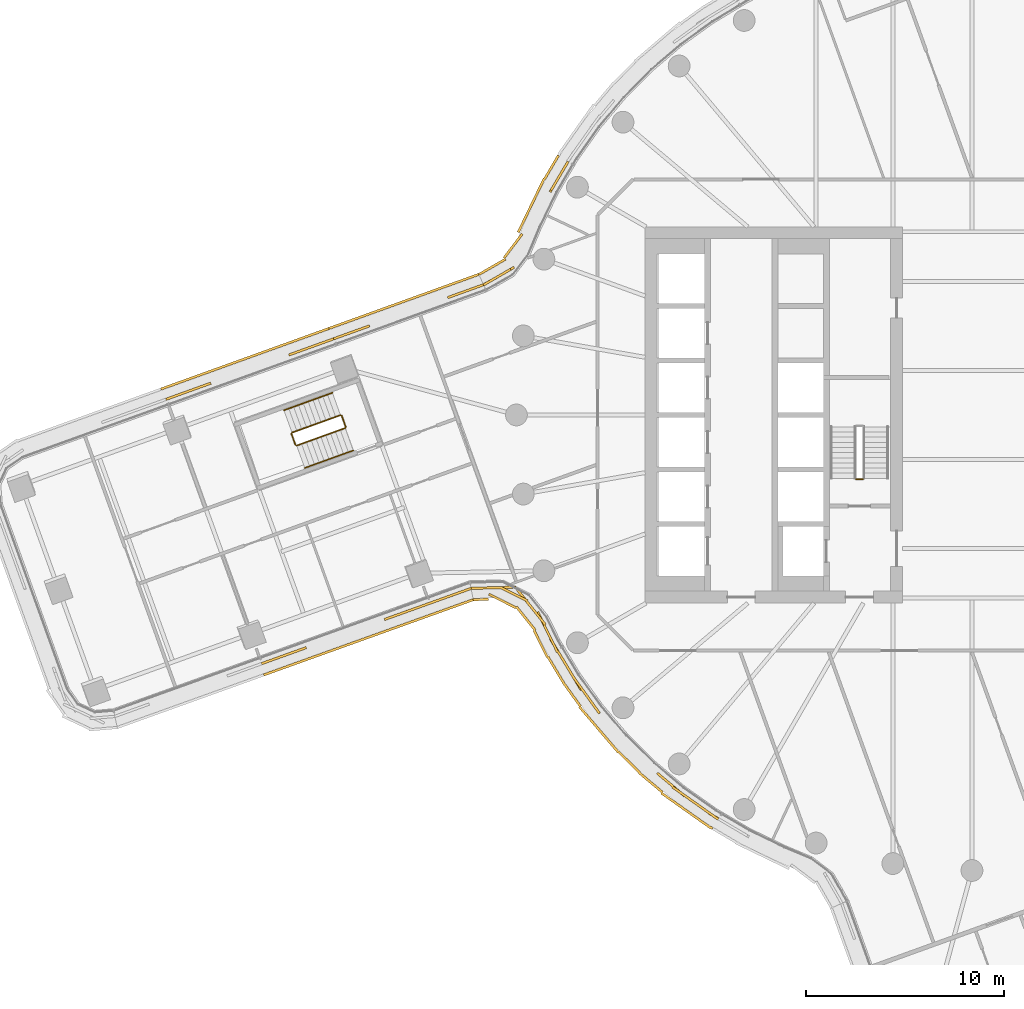
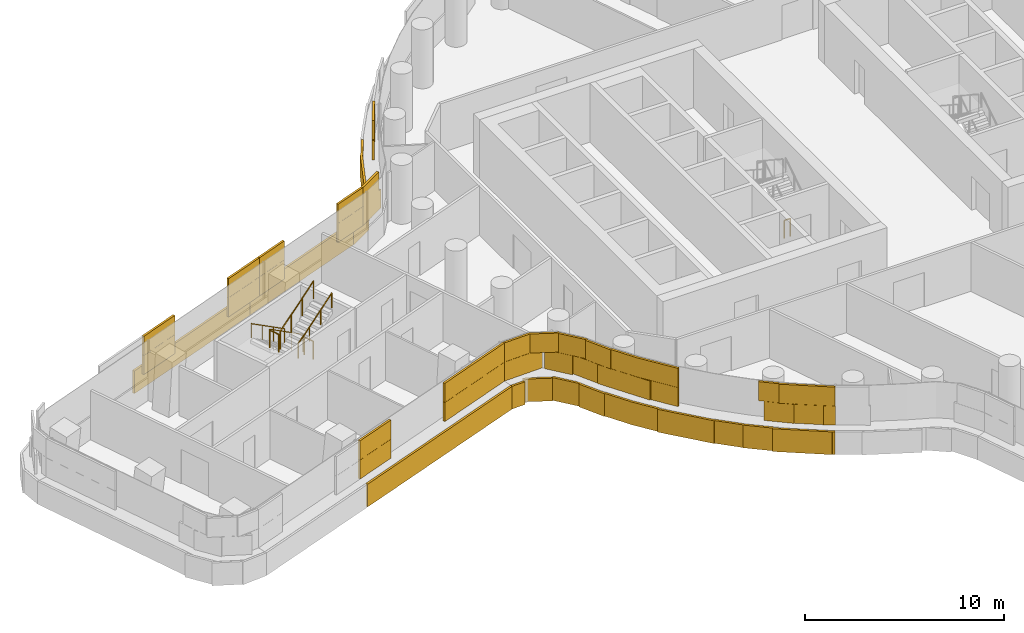
# One storey, part 26 of 30: 7 railings, 5 coverings.
"""IFC4 building model written with IfcOpenShell, lengths in metres."""

from ifc_helpers import new_model, si_unit, direction, frame, origin, origin_2d, place, context, subcontext, project, spatial, rectangle, circle, extrude, material, layer, layer_set, type_object, element, save


model = new_model("IFC4")

# Units and contexts
model_context = context("Model", 3, precision=1e-05, world=origin(), true_north=direction((0.0, 1.0)))
body_context = subcontext(model_context, "Body", "Model", "MODEL_VIEW")
ifc_project = project(units=[si_unit("LENGTHUNIT", "METRE"), si_unit("AREAUNIT", "SQUARE_METRE"), si_unit("VOLUMEUNIT", "CUBIC_METRE"), si_unit("PLANEANGLEUNIT", "RADIAN"), si_unit("MASSUNIT", "GRAM", prefix="KILO")], contexts=[model_context])

# Site, building, storey
site_placement = place(None, origin())
site = spatial("IfcSite", under=ifc_project, at=site_placement, CompositionType="ELEMENT")
building_placement = place(site_placement, origin())
building = spatial("IfcBuilding", under=site, at=building_placement, Name="Tamarind Cross Interchange Tower", CompositionType="ELEMENT")
storey_placement = place(building_placement, frame((0.0, 0.0, 106.0)))
storey = spatial("IfcBuildingStorey", under=building, at=storey_placement, Name="L25", CompositionType="ELEMENT", Elevation=106.0)

# Railings
ifc_material_1 = material(Name="Stair guard")
railing_type_1 = type_object("IfcRailingType", Name="Stair guard", PredefinedType="GUARDRAIL", material=ifc_material_1)
railing_1_placement = place(storey_placement, frame((-5.5, -3.25, 0.0)))
element("IfcRailing", 1, at=railing_1_placement, inside=storey, type_object=railing_type_1, Name="L25 ST1 stair guard 4", PredefinedType="GUARDRAIL", context=body_context, shape_type="SweptSolid", body=[
    extrude(circle(Radius=0.02392578125, at=origin_2d()), frame((0.0, 0.0, 1.076171875), z_axis=(-1.0, 0.0, 0.0), x_axis=(0.0, -1.0, 0.0)), (0.0, 0.0, 1.0), 0.35009765625),
    extrude(circle(Radius=0.02099609375, at=origin_2d()), origin(), (0.0, 0.0, 1.0), 1.052001953125),
    extrude(circle(Radius=0.02099609375, at=origin_2d()), frame((-0.35009765625, 0.0, 0.0)), (0.0, 0.0, 1.0), 1.052001953125),
])
railing_2_placement = place(storey_placement, frame((-31.885009765625, -0.007080078125, 0.17041015625)))
element("IfcRailing", 2, at=railing_2_placement, inside=storey, type_object=railing_type_1, Name="L25 ST5 stair guard 1", PredefinedType="GUARDRAIL", context=body_context, shape_type="SweptSolid", body=[
    extrude(circle(Radius=0.02392578125, at=origin_2d()), frame((0.0, 0.0, 1.076171875), z_axis=(-0.786594077285, -0.284028229763, 0.548267929281), x_axis=(0.339623697503, -0.940561398365, 0.0)), (0.0, 0.0, 1.0), 3.109130859375),
    extrude(circle(Radius=0.02099609375, at=origin_2d()), origin(), (0.0, 0.0, 1.0), 1.052001953125),
    extrude(circle(Radius=0.02099609375, at=origin_2d()), frame((-0.815185546875, -0.29443359375, 0.568115234375)), (0.0, 0.0, 1.0), 1.052001953125),
    extrude(circle(Radius=0.02099609375, at=origin_2d()), frame((-1.63037109375, -0.588623046875, 1.136474609375)), (0.0, 0.0, 1.0), 1.052001953125),
    extrude(circle(Radius=0.02099609375, at=origin_2d()), frame((-2.445556640625, -0.883056640625, 1.70458984375)), (0.0, 0.0, 1.0), 1.052001953125),
])
railing_3_placement = place(storey_placement, frame((-34.360595703125, -0.9541015625, 1.875)))
element("IfcRailing", 3, at=railing_3_placement, inside=storey, type_object=railing_type_1, Name="L25 ST5 stair guard 2", PredefinedType="GUARDRAIL", context=body_context, shape_type="SweptSolid", body=[
    extrude(circle(Radius=0.02392578125, at=origin_2d()), frame((0.0, 0.0, 1.076171875), z_axis=(0.339814466161, -0.940492492574, 0.0), x_axis=(0.940492492574, 0.339814466161, 0.0)), (0.0, 0.0, 1.0), 0.599853515625),
    extrude(circle(Radius=0.02099609375, at=origin_2d()), origin(), (0.0, 0.0, 1.0), 1.052001953125),
    extrude(circle(Radius=0.02099609375, at=origin_2d()), frame((0.203857421875, -0.564208984375, 0.0)), (0.0, 0.0, 1.0), 1.052001953125),
])
railing_4_placement = place(storey_placement, frame((-34.0927734375, -1.54833984375, 2.04541015625)))
element("IfcRailing", 4, at=railing_4_placement, inside=storey, type_object=railing_type_1, Name="L25 ST5 stair guard 3", PredefinedType="GUARDRAIL", context=body_context, shape_type="SweptSolid", body=[
    extrude(circle(Radius=0.02392578125, at=origin_2d()), frame((0.0, 0.0, 1.076171875), z_axis=(0.786611619308, 0.28395603628, 0.548280156335), x_axis=(-0.339540627438, 0.940591389669, 0.0)), (0.0, 0.0, 1.0), 3.10888671875),
    extrude(circle(Radius=0.02099609375, at=origin_2d()), origin(), (0.0, 0.0, 1.0), 1.052001953125),
    extrude(circle(Radius=0.02099609375, at=origin_2d()), frame((0.815185546875, 0.294189453125, 0.568115234375)), (0.0, 0.0, 1.0), 1.052001953125),
    extrude(circle(Radius=0.02099609375, at=origin_2d()), frame((1.63037109375, 0.588623046875, 1.136474609375)), (0.0, 0.0, 1.0), 1.052001953125),
    extrude(circle(Radius=0.02099609375, at=origin_2d()), frame((2.445556640625, 0.8828125, 1.70458984375)), (0.0, 0.0, 1.0), 1.052001953125),
])
railing_5_placement = place(storey_placement, frame((-31.821044921875, -0.037109375, 0.0)))
element("IfcRailing", 5, at=railing_5_placement, inside=storey, type_object=railing_type_1, Name="L25 ST5 stair guard 4", PredefinedType="GUARDRAIL", context=body_context, shape_type="SweptSolid", body=[
    extrude(circle(Radius=0.02392578125, at=origin_2d()), frame((0.0, 0.0, 1.076171875), z_axis=(0.339684450032, -0.94053945925, 0.0), x_axis=(0.94053945925, 0.339684450032, 0.0)), (0.0, 0.0, 1.0), 0.60009765625),
    extrude(circle(Radius=0.02099609375, at=origin_2d()), origin(), (0.0, 0.0, 1.0), 1.052001953125),
    extrude(circle(Radius=0.02099609375, at=origin_2d()), frame((0.203857421875, -0.564453125, 0.0)), (0.0, 0.0, 1.0), 1.052001953125),
])
ifc_material_2 = material(Name="Stair handrail")
railing_type_2 = type_object("IfcRailingType", Name="Stair handrail", PredefinedType="HANDRAIL", material=ifc_material_2)
railing_6_placement = place(storey_placement, frame((-32.29248046875, 1.12158203125, 0.17041015625)))
element("IfcRailing", 6, at=railing_6_placement, inside=storey, type_object=railing_type_2, Name="L25 ST5 stair handrail 1", PredefinedType="HANDRAIL", context=body_context, shape_type="SweptSolid", body=[
    extrude(circle(Radius=0.02392578125, at=origin_2d()), frame((0.0, 0.0, 0.8759765625), z_axis=(-0.786594077285, -0.284028229763, 0.548267929281), x_axis=(0.339623697503, -0.940561398365, 0.0)), (0.0, 0.0, 1.0), 3.109130859375),
    extrude(circle(Radius=0.02099609375, at=origin_2d()), origin(), (0.0, 0.0, 1.0), 0.851806640625),
    extrude(circle(Radius=0.02099609375, at=origin_2d()), frame((-0.815185546875, -0.29443359375, 0.568115234375)), (0.0, 0.0, 1.0), 0.851806640625),
    extrude(circle(Radius=0.02099609375, at=origin_2d()), frame((-1.63037109375, -0.588623046875, 1.136474609375)), (0.0, 0.0, 1.0), 0.851806640625),
    extrude(circle(Radius=0.02099609375, at=origin_2d()), frame((-2.445556640625, -0.883056640625, 1.70458984375)), (0.0, 0.0, 1.0), 0.851806640625),
])
railing_7_placement = place(storey_placement, frame((-33.685302734375, -2.67724609375, 2.04541015625)))
element("IfcRailing", 7, at=railing_7_placement, inside=storey, type_object=railing_type_2, Name="L25 ST5 stair handrail 2", PredefinedType="HANDRAIL", context=body_context, shape_type="SweptSolid", body=[
    extrude(circle(Radius=0.02392578125, at=origin_2d()), frame((0.0, 0.0, 0.8759765625), z_axis=(0.786594077285, 0.284028229763, 0.548267929281), x_axis=(-0.339623697503, 0.940561398365, 0.0)), (0.0, 0.0, 1.0), 3.109130859375),
    extrude(circle(Radius=0.02099609375, at=origin_2d()), origin(), (0.0, 0.0, 1.0), 0.851806640625),
    extrude(circle(Radius=0.02099609375, at=origin_2d()), frame((0.815185546875, 0.29443359375, 0.568115234375)), (0.0, 0.0, 1.0), 0.851806640625),
    extrude(circle(Radius=0.02099609375, at=origin_2d()), frame((1.63037109375, 0.588623046875, 1.136474609375)), (0.0, 0.0, 1.0), 0.851806640625),
    extrude(circle(Radius=0.02099609375, at=origin_2d()), frame((2.445556640625, 0.883056640625, 1.70458984375)), (0.0, 0.0, 1.0), 0.851806640625),
])

# Coverings
ifc_material_3 = material(Name="Terracotta", Category="masonry")
ifc_layer = layer(ifc_material_3, 0.1201171875)
ifc_layer_set = layer_set([ifc_layer], Name="Terracotta")
covering_type = type_object("IfcCoveringType", Name="Terracotta baguette screen unit", PredefinedType="MOLDING", material=ifc_layer_set)
covering_1_placement = place(storey_placement, origin())
element("IfcCovering", 8, at=covering_1_placement, inside=storey, type_object=covering_type, Name="SCR-L25-01-01", PredefinedType="MOLDING", context=body_context, shape_type="SweptSolid", body=[
    extrude(rectangle(XDim=0.3935546875, YDim=0.1201171875, at=origin_2d()), frame((-35.69189453125, -12.494384765625, 1.404052734375), z_axis=(0.0, 0.0, 1.0), x_axis=(0.941099800074, 0.338128919647, 0.0)), (0.0, 0.0, 1.0), 1.1669921875),
    extrude(rectangle(XDim=1.52001953125, YDim=0.1201171875, at=origin_2d()), frame((-34.8056640625, -12.17578125, 1.404052734375), z_axis=(0.0, 0.0, 1.0), x_axis=(0.941099800074, 0.338128919647, 0.0)), (0.0, 0.0, 1.0), 1.1669921875),
    extrude(rectangle(XDim=0.52587890625, YDim=0.1201171875, at=origin_2d()), frame((-33.857177734375, -11.835205078125, 1.404052734375), z_axis=(0.0, 0.0, 1.0), x_axis=(0.941099800074, 0.338128919647, 0.0)), (0.0, 0.0, 1.0), 1.1669921875),
    extrude(rectangle(XDim=1.294189453125, YDim=0.1201171875, at=origin_2d()), frame((-29.0576171875, -10.110595703125, 1.404052734375), z_axis=(0.0, 0.0, 1.0), x_axis=(0.941099800074, 0.338128919647, 0.0)), (0.0, 0.0, 1.0), 1.1669921875),
    extrude(rectangle(XDim=1.52001953125, YDim=0.1201171875, at=origin_2d()), frame((-27.747314453125, -9.639892578125, 1.404052734375), z_axis=(0.0, 0.0, 1.0), x_axis=(0.941099800074, 0.338128919647, 0.0)), (0.0, 0.0, 1.0), 1.1669921875),
    extrude(rectangle(XDim=1.52001953125, YDim=0.1201171875, at=origin_2d()), frame((-26.335693359375, -9.1328125, 1.404052734375), z_axis=(0.0, 0.0, 1.0), x_axis=(0.941099800074, 0.338128919647, 0.0)), (0.0, 0.0, 1.0), 1.1669921875),
    extrude(rectangle(XDim=0.37255859375, YDim=0.1201171875, at=origin_2d()), frame((-25.459228515625, -8.81787109375, 1.404052734375), z_axis=(0.0, 0.0, 1.0), x_axis=(0.941099800074, 0.338128919647, 0.0)), (0.0, 0.0, 1.0), 1.1669921875),
    extrude(rectangle(XDim=1.1435546875, YDim=0.1201171875, at=origin_2d()), frame((-35.339111328125, -12.367431640625, 2.5791015625), z_axis=(0.0, 0.0, 1.0), x_axis=(0.941099800074, 0.338128919647, 0.0)), (0.0, 0.0, 1.0), 1.1669921875),
    extrude(rectangle(XDim=1.27587890625, YDim=0.1201171875, at=origin_2d()), frame((-34.2099609375, -11.9619140625, 2.5791015625), z_axis=(0.0, 0.0, 1.0), x_axis=(0.941099800074, 0.338128919647, 0.0)), (0.0, 0.0, 1.0), 1.1669921875),
    extrude(rectangle(XDim=0.544189453125, YDim=0.1201171875, at=origin_2d()), frame((-29.410400390625, -10.237548828125, 2.5791015625), z_axis=(0.0, 0.0, 1.0), x_axis=(0.941099800074, 0.338128919647, 0.0)), (0.0, 0.0, 1.0), 1.1669921875),
    extrude(rectangle(XDim=1.52001953125, YDim=0.1201171875, at=origin_2d()), frame((-28.453369140625, -9.8935546875, 2.5791015625), z_axis=(0.0, 0.0, 1.0), x_axis=(0.941099800074, 0.338128919647, 0.0)), (0.0, 0.0, 1.0), 1.1669921875),
    extrude(rectangle(XDim=1.52001953125, YDim=0.1201171875, at=origin_2d()), frame((-27.04150390625, -9.38623046875, 2.5791015625), z_axis=(0.0, 0.0, 1.0), x_axis=(0.941099800074, 0.338128919647, 0.0)), (0.0, 0.0, 1.0), 1.1669921875),
    extrude(rectangle(XDim=1.12255859375, YDim=0.1201171875, at=origin_2d()), frame((-25.812255859375, -8.944580078125, 2.5791015625), z_axis=(0.0, 0.0, 1.0), x_axis=(0.941099800074, 0.338128919647, 0.0)), (0.0, 0.0, 1.0), 1.1669921875),
    extrude(rectangle(XDim=0.400390625, YDim=0.1201171875, at=origin_2d()), frame((-35.567138671875, -13.059326171875, 0.00390625), z_axis=(0.0, 0.0, 1.0), x_axis=(0.941099800074, 0.338128919647, 0.0)), (0.0, 0.0, 1.0), 1.39208984375),
    extrude(rectangle(XDim=1.52001953125, YDim=0.1201171875, at=origin_2d()), frame((-34.682373046875, -12.741455078125, 0.00390625), z_axis=(0.0, 0.0, 1.0), x_axis=(0.941099800074, 0.338128919647, 0.0)), (0.0, 0.0, 1.0), 1.39208984375),
    extrude(rectangle(XDim=1.52001953125, YDim=0.1201171875, at=origin_2d()), frame((-33.270751953125, -12.234375, 0.00390625), z_axis=(0.0, 0.0, 1.0), x_axis=(0.941099800074, 0.338128919647, 0.0)), (0.0, 0.0, 1.0), 1.39208984375),
    extrude(rectangle(XDim=1.52001953125, YDim=0.1201171875, at=origin_2d()), frame((-31.85888671875, -11.72705078125, 0.00390625), z_axis=(0.0, 0.0, 1.0), x_axis=(0.941099800074, 0.338128919647, 0.0)), (0.0, 0.0, 1.0), 1.39208984375),
    extrude(rectangle(XDim=1.52001953125, YDim=0.1201171875, at=origin_2d()), frame((-30.447265625, -11.219970703125, 0.00390625), z_axis=(0.0, 0.0, 1.0), x_axis=(0.941099800074, 0.338128919647, 0.0)), (0.0, 0.0, 1.0), 1.39208984375),
    extrude(rectangle(XDim=1.52001953125, YDim=0.1201171875, at=origin_2d()), frame((-29.03564453125, -10.712646484375, 0.00390625), z_axis=(0.0, 0.0, 1.0), x_axis=(0.941099800074, 0.338128919647, 0.0)), (0.0, 0.0, 1.0), 1.39208984375),
    extrude(rectangle(XDim=1.52001953125, YDim=0.1201171875, at=origin_2d()), frame((-27.6240234375, -10.20556640625, 0.00390625), z_axis=(0.0, 0.0, 1.0), x_axis=(0.941099800074, 0.338128919647, 0.0)), (0.0, 0.0, 1.0), 1.39208984375),
    extrude(rectangle(XDim=1.52001953125, YDim=0.1201171875, at=origin_2d()), frame((-26.21240234375, -9.6982421875, 0.00390625), z_axis=(0.0, 0.0, 1.0), x_axis=(0.941099800074, 0.338128919647, 0.0)), (0.0, 0.0, 1.0), 1.39208984375),
    extrude(rectangle(XDim=0.356201171875, YDim=0.1201171875, at=origin_2d()), frame((-25.348388671875, -9.387939453125, 0.00390625), z_axis=(0.0, 0.0, 1.0), x_axis=(0.941099800074, 0.338128919647, 0.0)), (0.0, 0.0, 1.0), 1.39208984375),
])
covering_2_placement = place(storey_placement, origin())
element("IfcCovering", 9, at=covering_2_placement, inside=storey, type_object=covering_type, Name="SCR-L25-02-00", PredefinedType="MOLDING", context=body_context, shape_type="SweptSolid", body=[
    extrude(rectangle(XDim=0.760009765625, YDim=0.1201171875, at=origin_2d()), frame((-24.913818359375, -8.745849609375, 1.404052734375), z_axis=(0.0, 0.0, 1.0), x_axis=(0.999595294295, 0.028447277975, 0.0)), (0.0, 0.0, 1.0), 1.1669921875),
    extrude(rectangle(XDim=1.52001953125, YDim=0.1201171875, at=origin_2d()), frame((-23.789306640625, -8.7138671875, 1.404052734375), z_axis=(0.0, 0.0, 1.0), x_axis=(0.999595294295, 0.028447277975, 0.0)), (0.0, 0.0, 1.0), 1.1669921875),
    extrude(rectangle(XDim=1.52001953125, YDim=0.1201171875, at=origin_2d()), frame((-22.476806640625, -9.41845703125, 1.404052734375), z_axis=(0.0, 0.0, 1.0), x_axis=(0.625819626842, -0.779967816426, 0.0)), (0.0, 0.0, 1.0), 1.1669921875),
    extrude(rectangle(XDim=1.52001953125, YDim=0.1201171875, at=origin_2d()), frame((-21.59521484375, -10.624755859375, 1.404052734375), z_axis=(0.0, 0.0, 1.0), x_axis=(0.444825120575, -0.89561744741, 0.0)), (0.0, 0.0, 1.0), 1.1669921875),
    extrude(rectangle(XDim=1.52001953125, YDim=0.1201171875, at=origin_2d()), frame((-20.8955078125, -11.950439453125, 1.404052734375), z_axis=(0.0, 0.0, 1.0), x_axis=(0.515577308909, -0.856843065292, 0.0)), (0.0, 0.0, 1.0), 1.1669921875),
    extrude(rectangle(XDim=1.52001953125, YDim=0.1201171875, at=origin_2d()), frame((-20.1220703125, -13.235595703125, 1.404052734375), z_axis=(0.0, 0.0, 1.0), x_axis=(0.515577308909, -0.856843065292, 0.0)), (0.0, 0.0, 1.0), 1.1669921875),
    extrude(rectangle(XDim=1.52001953125, YDim=0.1201171875, at=origin_2d()), frame((-19.247314453125, -14.453857421875, 1.404052734375), z_axis=(0.0, 0.0, 1.0), x_axis=(0.584573890505, -0.811340475102, 0.0)), (0.0, 0.0, 1.0), 1.1669921875),
    extrude(rectangle(XDim=1.52001953125, YDim=0.1201171875, at=origin_2d()), frame((-15.088623046875, -18.75439453125, 1.404052734375), z_axis=(0.0, 0.0, 1.0), x_axis=(0.765858396687, -0.643009266048, 0.0)), (0.0, 0.0, 1.0), 1.1669921875),
    extrude(rectangle(XDim=1.52001953125, YDim=0.1201171875, at=origin_2d()), frame((-13.888916015625, -19.653076171875, 1.404052734375), z_axis=(0.0, 0.0, 1.0), x_axis=(0.816341886298, -0.577568978284, 0.0)), (0.0, 0.0, 1.0), 1.1669921875),
    extrude(rectangle(XDim=0.582275390625, YDim=0.1201171875, at=origin_2d()), frame((-13.040771484375, -20.247802734375, 1.404052734375), z_axis=(0.0, 0.0, 1.0), x_axis=(0.861248933065, -0.508183308752, 0.0)), (0.0, 0.0, 1.0), 1.1669921875),
    extrude(rectangle(XDim=1.510009765625, YDim=0.1201171875, at=origin_2d()), frame((-24.5390625, -8.735107421875, 2.5791015625), z_axis=(0.0, 0.0, 1.0), x_axis=(0.999595294295, 0.028447277975, 0.0)), (0.0, 0.0, 1.0), 1.1669921875),
    extrude(rectangle(XDim=1.52001953125, YDim=0.1201171875, at=origin_2d()), frame((-23.1181640625, -9.0458984375, 2.5791015625), z_axis=(0.0, 0.0, 1.0), x_axis=(0.893609120974, -0.448846008017, 0.0)), (0.0, 0.0, 1.0), 1.1669921875),
    extrude(rectangle(XDim=1.52001953125, YDim=0.1201171875, at=origin_2d()), frame((-22.007568359375, -10.00341796875, 2.5791015625), z_axis=(0.0, 0.0, 1.0), x_axis=(0.625819626842, -0.779967816426, 0.0)), (0.0, 0.0, 1.0), 1.1669921875),
    extrude(rectangle(XDim=1.52001953125, YDim=0.1201171875, at=origin_2d()), frame((-21.26171875, -11.296630859375, 2.5791015625), z_axis=(0.0, 0.0, 1.0), x_axis=(0.444825120575, -0.89561744741, 0.0)), (0.0, 0.0, 1.0), 1.1669921875),
    extrude(rectangle(XDim=1.52001953125, YDim=0.1201171875, at=origin_2d()), frame((-20.5087890625, -12.593017578125, 2.5791015625), z_axis=(0.0, 0.0, 1.0), x_axis=(0.515577308909, -0.856843065292, 0.0)), (0.0, 0.0, 1.0), 1.1669921875),
    extrude(rectangle(XDim=1.52001953125, YDim=0.1201171875, at=origin_2d()), frame((-19.685546875, -13.845458984375, 2.5791015625), z_axis=(0.0, 0.0, 1.0), x_axis=(0.584573890505, -0.811340475102, 0.0)), (0.0, 0.0, 1.0), 1.1669921875),
    extrude(rectangle(XDim=0.76220703125, YDim=0.1201171875, at=origin_2d()), frame((-19.02734375, -14.759033203125, 2.5791015625), z_axis=(0.0, 0.0, 1.0), x_axis=(0.584573890505, -0.811340475102, 0.0)), (0.0, 0.0, 1.0), 1.1669921875),
    extrude(rectangle(XDim=1.057861328125, YDim=0.1201171875, at=origin_2d()), frame((-15.489990234375, -18.417724609375, 2.5791015625), z_axis=(0.0, 0.0, 1.0), x_axis=(0.765858396687, -0.643009266048, 0.0)), (0.0, 0.0, 1.0), 1.1669921875),
    extrude(rectangle(XDim=1.52001953125, YDim=0.1201171875, at=origin_2d()), frame((-14.501220703125, -19.219970703125, 2.5791015625), z_axis=(0.0, 0.0, 1.0), x_axis=(0.816341886298, -0.577568978284, 0.0)), (0.0, 0.0, 1.0), 1.1669921875),
    extrude(rectangle(XDim=1.332275390625, YDim=0.1201171875, at=origin_2d()), frame((-13.349365234375, -20.034912109375, 2.5791015625), z_axis=(0.0, 0.0, 1.0), x_axis=(0.816341886298, -0.577568978284, 0.0)), (0.0, 0.0, 1.0), 1.1669921875),
    extrude(rectangle(XDim=0.760009765625, YDim=0.1201171875, at=origin_2d()), frame((-24.801025390625, -9.31689453125, 0.00390625), z_axis=(0.0, 0.0, 1.0), x_axis=(0.999595294295, 0.028447277975, 0.0)), (0.0, 0.0, 1.0), 1.39208984375),
    extrude(rectangle(XDim=1.52001953125, YDim=0.1201171875, at=origin_2d()), frame((-23.70556640625, -9.39306640625, 0.00390625), z_axis=(0.0, 0.0, 1.0), x_axis=(0.893609120974, -0.448846008017, 0.0)), (0.0, 0.0, 1.0), 1.39208984375),
    extrude(rectangle(XDim=1.52001953125, YDim=0.1201171875, at=origin_2d()), frame((-22.529541015625, -10.27001953125, 0.00390625), z_axis=(0.0, 0.0, 1.0), x_axis=(0.625819626842, -0.779967816426, 0.0)), (0.0, 0.0, 1.0), 1.39208984375),
    extrude(rectangle(XDim=1.52001953125, YDim=0.1201171875, at=origin_2d()), frame((-21.7734375, -11.556640625, 0.00390625), z_axis=(0.0, 0.0, 1.0), x_axis=(0.444825120575, -0.89561744741, 0.0)), (0.0, 0.0, 1.0), 1.39208984375),
    extrude(rectangle(XDim=1.52001953125, YDim=0.1201171875, at=origin_2d()), frame((-21.021728515625, -12.853759765625, 0.00390625), z_axis=(0.0, 0.0, 1.0), x_axis=(0.515577308909, -0.856843065292, 0.0)), (0.0, 0.0, 1.0), 1.39208984375),
    extrude(rectangle(XDim=1.52001953125, YDim=0.1201171875, at=origin_2d()), frame((-20.203125, -14.109130859375, 0.00390625), z_axis=(0.0, 0.0, 1.0), x_axis=(0.584573890505, -0.811340475102, 0.0)), (0.0, 0.0, 1.0), 1.39208984375),
    extrude(rectangle(XDim=1.52001953125, YDim=0.1201171875, at=origin_2d()), frame((-19.318603515625, -15.320068359375, 0.00390625), z_axis=(0.0, 0.0, 1.0), x_axis=(0.64957723968, -0.760295606781, 0.0)), (0.0, 0.0, 1.0), 1.39208984375),
    extrude(rectangle(XDim=1.52001953125, YDim=0.1201171875, at=origin_2d()), frame((-18.34423828125, -16.46044921875, 0.00390625), z_axis=(0.0, 0.0, 1.0), x_axis=(0.64957723968, -0.760295606781, 0.0)), (0.0, 0.0, 1.0), 1.39208984375),
    extrude(rectangle(XDim=1.52001953125, YDim=0.1201171875, at=origin_2d()), frame((-17.304443359375, -17.540283203125, 0.00390625), z_axis=(0.0, 0.0, 1.0), x_axis=(0.710143317658, -0.704057148523, 0.0)), (0.0, 0.0, 1.0), 1.39208984375),
    extrude(rectangle(XDim=1.52001953125, YDim=0.1201171875, at=origin_2d()), frame((-16.209228515625, -18.563232421875, 0.00390625), z_axis=(0.0, 0.0, 1.0), x_axis=(0.765858396687, -0.643009266048, 0.0)), (0.0, 0.0, 1.0), 1.39208984375),
    extrude(rectangle(XDim=1.52001953125, YDim=0.1201171875, at=origin_2d()), frame((-15.06005859375, -19.527587890625, 0.00390625), z_axis=(0.0, 0.0, 1.0), x_axis=(0.816341886298, -0.577568978284, 0.0)), (0.0, 0.0, 1.0), 1.39208984375),
    extrude(rectangle(XDim=1.52001953125, YDim=0.1201171875, at=origin_2d()), frame((-13.835693359375, -20.39404296875, 0.00390625), z_axis=(0.0, 0.0, 1.0), x_axis=(0.816341886298, -0.577568978284, 0.0)), (0.0, 0.0, 1.0), 1.39208984375),
    extrude(rectangle(XDim=0.142578125, YDim=0.1201171875, at=origin_2d()), frame((-13.160888671875, -20.84326171875, 0.00390625), z_axis=(0.0, 0.0, 1.0), x_axis=(0.861248933065, -0.508183308752, 0.0)), (0.0, 0.0, 1.0), 1.39208984375),
])
covering_3_placement = place(storey_placement, origin())
element("IfcCovering", 10, at=covering_3_placement, inside=storey, type_object=covering_type, Name="SCR-L25-14-01", PredefinedType="MOLDING", context=body_context, shape_type="SweptSolid", body=[
    extrude(rectangle(XDim=0.937744140625, YDim=0.1201171875, at=origin_2d()), frame((-20.62890625, 12.394775390625, 1.404052734375), z_axis=(0.0, 0.0, 1.0), x_axis=(-0.508183308752, -0.861248933065, 0.0)), (0.0, 0.0, 1.0), 1.1669921875),
    extrude(rectangle(XDim=0.85595703125, YDim=0.1201171875, at=origin_2d()), frame((-21.07958984375, 11.630859375, 1.404052734375), z_axis=(0.0, 0.0, 1.0), x_axis=(-0.508183308752, -0.861248933065, 0.0)), (0.0, 0.0, 1.0), 1.1669921875),
    extrude(rectangle(XDim=0.9638671875, YDim=0.1201171875, at=origin_2d()), frame((-23.53369140625, 7.216064453125, 1.404052734375), z_axis=(0.0, 0.0, 1.0), x_axis=(-0.86568357564, -0.500591596881, 0.0)), (0.0, 0.0, 1.0), 1.1669921875),
    extrude(rectangle(XDim=0.829833984375, YDim=0.1201171875, at=origin_2d()), frame((-24.302978515625, 6.77490234375, 1.404052734375), z_axis=(0.0, 0.0, 1.0), x_axis=(-0.875597761856, -0.483040950058, 0.0)), (0.0, 0.0, 1.0), 1.1669921875),
    extrude(rectangle(XDim=0.187744140625, YDim=0.1201171875, at=origin_2d()), frame((-20.438232421875, 12.7177734375, 2.5791015625), z_axis=(0.0, 0.0, 1.0), x_axis=(-0.508183308752, -0.861248933065, 0.0)), (0.0, 0.0, 1.0), 1.1669921875),
    extrude(rectangle(XDim=1.52001953125, YDim=0.1201171875, at=origin_2d()), frame((-20.86474609375, 11.995361328125, 2.5791015625), z_axis=(0.0, 0.0, 1.0), x_axis=(-0.508183308752, -0.861248933065, 0.0)), (0.0, 0.0, 1.0), 1.1669921875),
    extrude(rectangle(XDim=1.52001953125, YDim=0.1201171875, at=origin_2d()), frame((-23.946533203125, 6.977294921875, 2.5791015625), z_axis=(0.0, 0.0, 1.0), x_axis=(-0.86568357564, -0.500591596881, 0.0)), (0.0, 0.0, 1.0), 1.1669921875),
    extrude(rectangle(XDim=0.079833984375, YDim=0.1201171875, at=origin_2d()), frame((-24.63134765625, 6.59375, 2.5791015625), z_axis=(0.0, 0.0, 1.0), x_axis=(-0.875597761856, -0.483040950058, 0.0)), (0.0, 0.0, 1.0), 1.1669921875),
    extrude(rectangle(XDim=1.37744140625, YDim=0.1201171875, at=origin_2d()), frame((-21.2294921875, 12.50634765625, 0.00390625), z_axis=(0.0, 0.0, 1.0), x_axis=(-0.508183308752, -0.861248933065, 0.0)), (0.0, 0.0, 1.0), 1.39208984375),
    extrude(rectangle(XDim=1.52001953125, YDim=0.1201171875, at=origin_2d()), frame((-21.924560546875, 11.25927734375, 0.00390625), z_axis=(0.0, 0.0, 1.0), x_axis=(-0.435326231914, -0.900272776334, 0.0)), (0.0, 0.0, 1.0), 1.39208984375),
    extrude(rectangle(XDim=1.52001953125, YDim=0.1201171875, at=origin_2d()), frame((-22.577392578125, 9.908935546875, 0.00390625), z_axis=(0.0, 0.0, 1.0), x_axis=(-0.435326231914, -0.900272776334, 0.0)), (0.0, 0.0, 1.0), 1.39208984375),
    extrude(rectangle(XDim=1.52001953125, YDim=0.1201171875, at=origin_2d()), frame((-23.169189453125, 8.53125, 0.00390625), z_axis=(0.0, 0.0, 1.0), x_axis=(-0.605627948242, -0.795747942698, 0.0)), (0.0, 0.0, 1.0), 1.39208984375),
    extrude(rectangle(XDim=1.52001953125, YDim=0.1201171875, at=origin_2d()), frame((-24.2099609375, 7.488037109375, 0.00390625), z_axis=(0.0, 0.0, 1.0), x_axis=(-0.86568357564, -0.500591596881, 0.0)), (0.0, 0.0, 1.0), 1.39208984375),
    extrude(rectangle(XDim=0.050537109375, YDim=0.1201171875, at=origin_2d()), frame((-24.87744140625, 7.113525390625, 0.00390625), z_axis=(0.0, 0.0, 1.0), x_axis=(-0.875597761856, -0.483040950058, 0.0)), (0.0, 0.0, 1.0), 1.39208984375),
])
covering_4_placement = place(storey_placement, origin())
element("IfcCovering", 11, at=covering_4_placement, inside=storey, type_object=covering_type, Name="SCR-L25-15-00", PredefinedType="MOLDING", context=body_context, shape_type="SweptSolid", body=[
    extrude(rectangle(XDim=0.760009765625, YDim=0.1201171875, at=origin_2d()), frame((-25.0146484375, 6.449462890625, 1.404052734375), z_axis=(0.0, 0.0, 1.0), x_axis=(-0.94057769422, -0.339578564011, 0.0)), (0.0, 0.0, 1.0), 1.1669921875),
    extrude(rectangle(XDim=1.17919921875, YDim=0.1201171875, at=origin_2d()), frame((-25.917236328125, 6.123779296875, 1.404052734375), z_axis=(0.0, 0.0, 1.0), x_axis=(-0.94057769422, -0.339578564011, 0.0)), (0.0, 0.0, 1.0), 1.1669921875),
    extrude(rectangle(XDim=0.640869140625, YDim=0.1201171875, at=origin_2d()), frame((-30.714111328125, 4.391845703125, 1.404052734375), z_axis=(0.0, 0.0, 1.0), x_axis=(-0.94057769422, -0.339578564011, 0.0)), (0.0, 0.0, 1.0), 1.1669921875),
    extrude(rectangle(XDim=1.29833984375, YDim=0.1201171875, at=origin_2d()), frame((-31.61669921875, 4.06591796875, 1.404052734375), z_axis=(0.0, 0.0, 1.0), x_axis=(-0.94057769422, -0.339578564011, 0.0)), (0.0, 0.0, 1.0), 1.1669921875),
    extrude(rectangle(XDim=1.510009765625, YDim=0.1201171875, at=origin_2d()), frame((-25.367431640625, 6.322265625, 2.5791015625), z_axis=(0.0, 0.0, 1.0), x_axis=(-0.94057769422, -0.339578564011, 0.0)), (0.0, 0.0, 1.0), 1.1669921875),
    extrude(rectangle(XDim=0.42919921875, YDim=0.1201171875, at=origin_2d()), frame((-26.27001953125, 5.996337890625, 2.5791015625), z_axis=(0.0, 0.0, 1.0), x_axis=(-0.94057769422, -0.339578564011, 0.0)), (0.0, 0.0, 1.0), 1.1669921875),
    extrude(rectangle(XDim=1.390869140625, YDim=0.1201171875, at=origin_2d()), frame((-31.06689453125, 4.264404296875, 2.5791015625), z_axis=(0.0, 0.0, 1.0), x_axis=(-0.94057769422, -0.339578564011, 0.0)), (0.0, 0.0, 1.0), 1.1669921875),
    extrude(rectangle(XDim=0.54833984375, YDim=0.1201171875, at=origin_2d()), frame((-31.969482421875, 3.938720703125, 2.5791015625), z_axis=(0.0, 0.0, 1.0), x_axis=(-0.94057769422, -0.339578564011, 0.0)), (0.0, 0.0, 1.0), 1.1669921875),
    extrude(rectangle(XDim=0.760009765625, YDim=0.1201171875, at=origin_2d()), frame((-25.2568359375, 6.972412109375, 0.00390625), z_axis=(0.0, 0.0, 1.0), x_axis=(-0.94057769422, -0.339578564011, 0.0)), (0.0, 0.0, 1.0), 1.39208984375),
    extrude(rectangle(XDim=1.52001953125, YDim=0.1201171875, at=origin_2d()), frame((-26.310302734375, 6.592041015625, 0.00390625), z_axis=(0.0, 0.0, 1.0), x_axis=(-0.94057769422, -0.339578564011, 0.0)), (0.0, 0.0, 1.0), 1.39208984375),
    extrude(rectangle(XDim=1.52001953125, YDim=0.1201171875, at=origin_2d()), frame((-27.72119140625, 6.08251953125, 0.00390625), z_axis=(0.0, 0.0, 1.0), x_axis=(-0.94057769422, -0.339578564011, 0.0)), (0.0, 0.0, 1.0), 1.39208984375),
    extrude(rectangle(XDim=1.52001953125, YDim=0.1201171875, at=origin_2d()), frame((-29.132080078125, 5.5732421875, 0.00390625), z_axis=(0.0, 0.0, 1.0), x_axis=(-0.94057769422, -0.339578564011, 0.0)), (0.0, 0.0, 1.0), 1.39208984375),
    extrude(rectangle(XDim=1.52001953125, YDim=0.1201171875, at=origin_2d()), frame((-30.54296875, 5.06396484375, 0.00390625), z_axis=(0.0, 0.0, 1.0), x_axis=(-0.94057769422, -0.339578564011, 0.0)), (0.0, 0.0, 1.0), 1.39208984375),
    extrude(rectangle(XDim=1.30810546875, YDim=0.1201171875, at=origin_2d()), frame((-31.854248046875, 4.590576171875, 0.00390625), z_axis=(0.0, 0.0, 1.0), x_axis=(-0.94057769422, -0.339578564011, 0.0)), (0.0, 0.0, 1.0), 1.39208984375),
])
covering_5_placement = place(storey_placement, origin())
element("IfcCovering", 12, at=covering_5_placement, inside=storey, type_object=covering_type, Name="SCR-L25-15-01", PredefinedType="MOLDING", context=body_context, shape_type="SweptSolid", body=[
    extrude(rectangle(XDim=0.2216796875, YDim=0.1201171875, at=origin_2d()), frame((-32.322021484375, 3.811279296875, 1.404052734375), z_axis=(0.0, 0.0, 1.0), x_axis=(-0.94057769422, -0.339578564011, 0.0)), (0.0, 0.0, 1.0), 1.1669921875),
    extrude(rectangle(XDim=1.52001953125, YDim=0.1201171875, at=origin_2d()), frame((-33.127197265625, 3.520751953125, 1.404052734375), z_axis=(0.0, 0.0, 1.0), x_axis=(-0.94057769422, -0.339578564011, 0.0)), (0.0, 0.0, 1.0), 1.1669921875),
    extrude(rectangle(XDim=0.698974609375, YDim=0.1201171875, at=origin_2d()), frame((-34.15673828125, 3.14892578125, 1.404052734375), z_axis=(0.0, 0.0, 1.0), x_axis=(-0.94057769422, -0.339578564011, 0.0)), (0.0, 0.0, 1.0), 1.1669921875),
    extrude(rectangle(XDim=1.120849609375, YDim=0.1201171875, at=origin_2d()), frame((-38.95361328125, 1.417236328125, 1.404052734375), z_axis=(0.0, 0.0, 1.0), x_axis=(-0.94057769422, -0.339578564011, 0.0)), (0.0, 0.0, 1.0), 1.1669921875),
    extrude(rectangle(XDim=1.300048828125, YDim=0.1201171875, at=origin_2d()), frame((-40.082763671875, 1.009521484375, 1.404052734375), z_axis=(0.0, 0.0, 1.0), x_axis=(-0.94057769422, -0.339578564011, 0.0)), (0.0, 0.0, 1.0), 1.1669921875),
    extrude(rectangle(XDim=0.9716796875, YDim=0.1201171875, at=origin_2d()), frame((-32.6748046875, 3.68408203125, 2.5791015625), z_axis=(0.0, 0.0, 1.0), x_axis=(-0.94057769422, -0.339578564011, 0.0)), (0.0, 0.0, 1.0), 1.1669921875),
    extrude(rectangle(XDim=1.448974609375, YDim=0.1201171875, at=origin_2d()), frame((-33.803955078125, 3.2763671875, 2.5791015625), z_axis=(0.0, 0.0, 1.0), x_axis=(-0.94057769422, -0.339578564011, 0.0)), (0.0, 0.0, 1.0), 1.1669921875),
    extrude(rectangle(XDim=0.370849609375, YDim=0.1201171875, at=origin_2d()), frame((-38.600830078125, 1.54443359375, 2.5791015625), z_axis=(0.0, 0.0, 1.0), x_axis=(-0.94057769422, -0.339578564011, 0.0)), (0.0, 0.0, 1.0), 1.1669921875),
    extrude(rectangle(XDim=1.52001953125, YDim=0.1201171875, at=origin_2d()), frame((-39.47607421875, 1.228515625, 2.5791015625), z_axis=(0.0, 0.0, 1.0), x_axis=(-0.94057769422, -0.339578564011, 0.0)), (0.0, 0.0, 1.0), 1.1669921875),
    extrude(rectangle(XDim=0.550048828125, YDim=0.1201171875, at=origin_2d()), frame((-40.435302734375, 0.882080078125, 2.5791015625), z_axis=(0.0, 0.0, 1.0), x_axis=(-0.94057769422, -0.339578564011, 0.0)), (0.0, 0.0, 1.0), 1.1669921875),
    extrude(rectangle(XDim=0.2119140625, YDim=0.1201171875, at=origin_2d()), frame((-32.569091796875, 4.33251953125, 0.00390625), z_axis=(0.0, 0.0, 1.0), x_axis=(-0.94057769422, -0.339578564011, 0.0)), (0.0, 0.0, 1.0), 1.39208984375),
    extrude(rectangle(XDim=1.52001953125, YDim=0.1201171875, at=origin_2d()), frame((-33.36474609375, 4.045166015625, 0.00390625), z_axis=(0.0, 0.0, 1.0), x_axis=(-0.94057769422, -0.339578564011, 0.0)), (0.0, 0.0, 1.0), 1.39208984375),
    extrude(rectangle(XDim=1.52001953125, YDim=0.1201171875, at=origin_2d()), frame((-34.775634765625, 3.535888671875, 0.00390625), z_axis=(0.0, 0.0, 1.0), x_axis=(-0.94057769422, -0.339578564011, 0.0)), (0.0, 0.0, 1.0), 1.39208984375),
    extrude(rectangle(XDim=1.52001953125, YDim=0.1201171875, at=origin_2d()), frame((-36.1865234375, 3.0263671875, 0.00390625), z_axis=(0.0, 0.0, 1.0), x_axis=(-0.94057769422, -0.339578564011, 0.0)), (0.0, 0.0, 1.0), 1.39208984375),
    extrude(rectangle(XDim=1.52001953125, YDim=0.1201171875, at=origin_2d()), frame((-37.597412109375, 2.51708984375, 0.00390625), z_axis=(0.0, 0.0, 1.0), x_axis=(-0.94057769422, -0.339578564011, 0.0)), (0.0, 0.0, 1.0), 1.39208984375),
    extrude(rectangle(XDim=1.52001953125, YDim=0.1201171875, at=origin_2d()), frame((-39.00830078125, 2.007568359375, 0.00390625), z_axis=(0.0, 0.0, 1.0), x_axis=(-0.94057769422, -0.339578564011, 0.0)), (0.0, 0.0, 1.0), 1.39208984375),
    extrude(rectangle(XDim=1.320556640625, YDim=0.1201171875, at=origin_2d()), frame((-40.3251953125, 1.5322265625, 0.00390625), z_axis=(0.0, 0.0, 1.0), x_axis=(-0.94057769422, -0.339578564011, 0.0)), (0.0, 0.0, 1.0), 1.39208984375),
])

save(model, "model.ifc")
